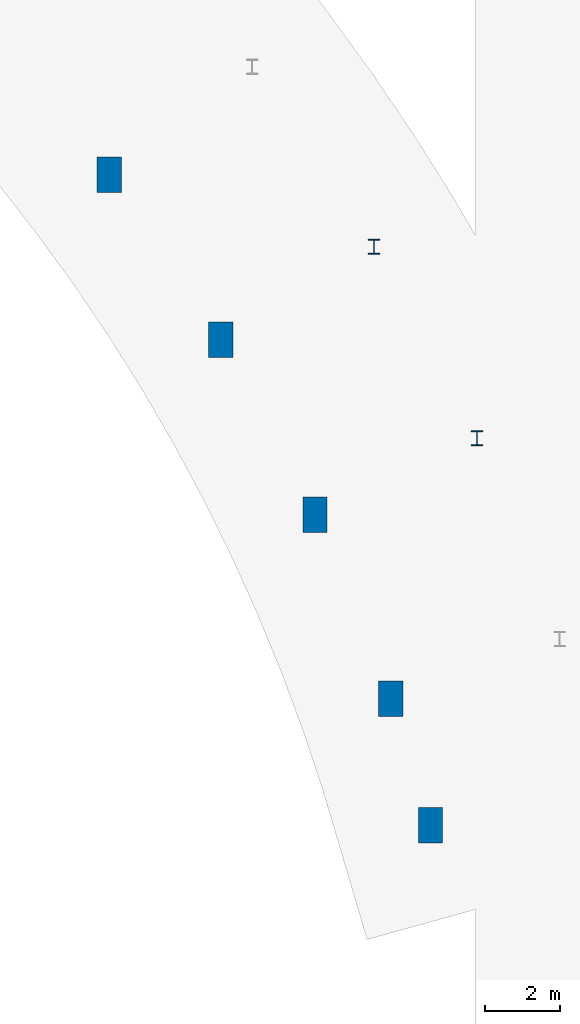
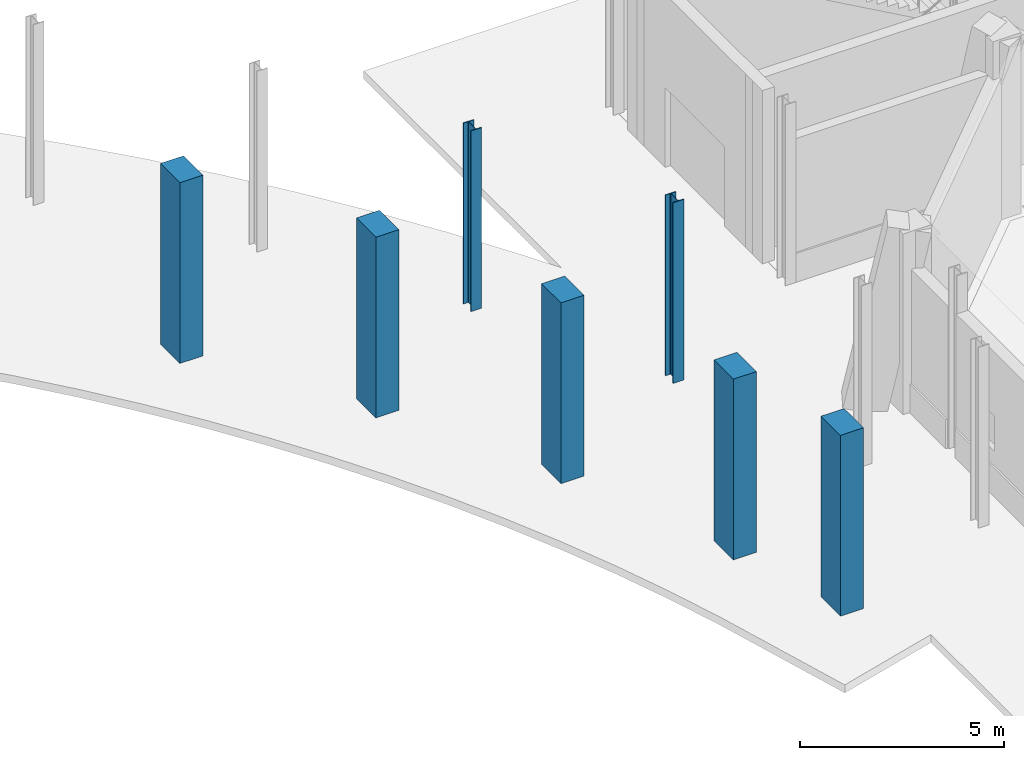
# One storey, part 1 of 124: 7 columns.
"""IFC4 building model written with IfcOpenShell, lengths in metres."""

import ifcopenshell
import ifcopenshell.guid

model = None  # the IFC model being written
_history = None  # IfcOwnerHistory: only IFC2X3 demands one
_inside = {}  # id of a spatial element -> (the spatial element, [elements in it])
_under = {}  # id of a project, library or spatial element -> (it, [spatial elements below it])
_declared = {}  # id of a project -> (the project, [libraries it declares])
_typed = {}  # id of a type object -> (the type object, [elements of that type])
_made_of = {}  # id of a material, layer set ... -> (it, [elements and type objects made of it])


def new_model(schema):
    """Start an empty IFC model of exactly this schema.

    Asked for "IFC4X3", IfcOpenShell would pick the latest addendum, in which some entities
    have other attributes; the version numbers below select the first issue.
    IFC2X3 requires an IfcOwnerHistory on every rooted entity: one is made here for all.
    """
    global model, _history
    if schema == "IFC4X3":
        model = ifcopenshell.file(schema_version=(4, 3, 0, 0))
    else:
        model = ifcopenshell.file(schema=schema)
    _inside.clear()
    _under.clear()
    _declared.clear()
    _typed.clear()
    _made_of.clear()
    _history = None
    if model.schema == "IFC2X3":
        org = make("IfcOrganization", Name="unknown")
        user = make(
            "IfcPersonAndOrganization",
            ThePerson=make("IfcPerson", FamilyName="unknown"),
            TheOrganization=org,
        )
        app = make(
            "IfcApplication",
            ApplicationDeveloper=org,
            Version="unknown",
            ApplicationFullName="unknown",
            ApplicationIdentifier="unknown",
        )
        _history = make(
            "IfcOwnerHistory",
            OwningUser=user,
            OwningApplication=app,
            ChangeAction="ADDED",
            CreationDate=0,
        )
    return model


def make(cls, **values):
    """One entity of the class cls with the attributes given. An attribute that is None is left unset."""
    return model.create_entity(
        cls, **{name: value for name, value in values.items() if value is not None}
    )


def rooted(cls, **values):
    """An entity with a GlobalId (a new one), such as an element, a storey or a relation."""
    return make(cls, GlobalId=ifcopenshell.guid.new(), OwnerHistory=_history, **values)


def si_unit(unit_type, name, prefix=None):
    """IfcSIUnit, for example si_unit("LENGTHUNIT", "METRE", prefix="MILLI")."""
    return make("IfcSIUnit", UnitType=unit_type, Prefix=prefix, Name=name)


def assignment(units):
    """IfcUnitAssignment: the units of a project."""
    return None if units is None else make("IfcUnitAssignment", Units=units)


def point(xyz):
    """IfcCartesianPoint."""
    return None if xyz is None else make("IfcCartesianPoint", Coordinates=xyz)


def direction(xyz):
    """IfcDirection."""
    return None if xyz is None else make("IfcDirection", DirectionRatios=xyz)


def frame(location, z_axis=None, x_axis=None):
    """IfcAxis2Placement3D, a coordinate frame: its origin and axes. An axis left out is left unset."""
    return make(
        "IfcAxis2Placement3D",
        Location=point(location),
        Axis=direction(z_axis),
        RefDirection=direction(x_axis),
    )


def frame_2d(location, x_axis=None):
    """IfcAxis2Placement2D, a coordinate frame in the plane: its origin and x axis."""
    return make(
        "IfcAxis2Placement2D", Location=point(location), RefDirection=direction(x_axis)
    )


def origin():
    """The frame at (0, 0, 0) with its axes left unset."""
    return frame((0.0, 0.0, 0.0))


def origin_2d():
    """The frame at (0, 0) in the plane with its x axis left unset."""
    return frame_2d((0.0, 0.0))


def place(relative_to, where):
    """IfcLocalPlacement: puts the frame where relative to a parent placement (None: the world)."""
    return make(
        "IfcLocalPlacement", PlacementRelTo=relative_to, RelativePlacement=where
    )


def context(
    kind, dimensions, precision=None, world=None, true_north=None, identifier=None
):
    """IfcGeometricRepresentationContext, for example the 3D "Model" context."""
    return make(
        "IfcGeometricRepresentationContext",
        ContextIdentifier=identifier,
        ContextType=kind,
        CoordinateSpaceDimension=dimensions,
        Precision=precision,
        WorldCoordinateSystem=world,
        TrueNorth=true_north,
    )


def subcontext(parent, identifier, kind, view, scale=None):
    """IfcGeometricRepresentationSubContext, for example "Body" below "Model"."""
    return make(
        "IfcGeometricRepresentationSubContext",
        ContextIdentifier=identifier,
        ContextType=kind,
        ParentContext=parent,
        TargetScale=scale,
        TargetView=view,
    )


def project(units=None, contexts=None):
    """IfcProject with its units and contexts."""
    return rooted(
        "IfcProject",
        Name="project",
        RepresentationContexts=contexts,
        UnitsInContext=assignment(units),
    )


def spatial(cls, under=None, at=None, **own):
    """A site, building, storey or space (cls), placed at a placement, below another one or the project."""
    s = rooted(cls, ObjectPlacement=at, **own)
    if under is not None:
        _under.setdefault(under.id(), (under, []))[1].append(s)
    return s


def profile(cls, at=None, kind="AREA", **sizes):
    """A parametric profile (cls). Its sizes go by their IFC names, for example OverallWidth=200.0."""
    return make(cls, ProfileType=kind, Position=at, **sizes)


def rectangle(**sizes):
    """IfcRectangleProfileDef."""
    return profile("IfcRectangleProfileDef", **sizes)


def i_section(**sizes):
    """IfcIShapeProfileDef."""
    return profile("IfcIShapeProfileDef", **sizes)


def extrude(swept, where, along, depth):
    """IfcExtrudedAreaSolid: the profile swept, set in the frame where, extruded along a direction by depth."""
    return make(
        "IfcExtrudedAreaSolid",
        SweptArea=swept,
        Position=where,
        ExtrudedDirection=direction(along),
        Depth=depth,
    )


def shape(context_of_items, identifier, shape_type, items):
    """IfcShapeRepresentation: the items that make up one representation, for example the "Body"."""
    return make(
        "IfcShapeRepresentation",
        ContextOfItems=context_of_items,
        RepresentationIdentifier=identifier,
        RepresentationType=shape_type,
        Items=items,
    )


def material(Name=None, Category=None):
    """IfcMaterial."""
    return make("IfcMaterial", Name=Name, Category=Category)


def material_profile(
    of_material, cross_section, Name=None, Category=None, Priority=None
):
    """IfcMaterialProfile: a cross section and its material."""
    return make(
        "IfcMaterialProfile",
        Name=Name,
        Material=of_material,
        Profile=cross_section,
        Priority=Priority,
        Category=Category,
    )


def profile_set(profiles, Name=None, composite=None):
    """IfcMaterialProfileSet."""
    return make(
        "IfcMaterialProfileSet",
        Name=Name,
        MaterialProfiles=profiles,
        CompositeProfile=composite,
    )


def made_of(thing, what):
    """Note that an element or type object is made of a material, layer set ...; save() writes the relation."""
    if what is not None:
        _made_of.setdefault(what.id(), (what, []))[1].append(thing)
    return thing


def type_object(cls, material=None, **own):
    """A type object (cls), such as IfcWallType, which elements share."""
    return made_of(rooted(cls, **own), material)


def element(
    cls,
    number,
    at=None,
    inside=None,
    cuts=None,
    type_object=None,
    material=None,
    context=None,
    identifier="Body",
    shape_type=None,
    held_by="IfcProductDefinitionShape",
    body=None,
    shapes=None,
    **own,
):
    """One element of the class cls, such as IfcWall. Its Tag is "e" and its number.

    at: its placement. inside: the storey or other place that contains it. cuts: it is an
    opening in that element (IfcRelVoidsElement). A single representation is given by context,
    identifier, shape_type and body (its items); several are given by shapes. held_by: the class
    of the entity that holds the representations. save() writes the other relations.
    """
    e = rooted(cls, Tag="e%d" % number, ObjectPlacement=at, **own)
    if body is not None:
        shapes = [shape(context, identifier, shape_type, body)]
    if shapes is not None:
        e.Representation = make(held_by, Representations=shapes)
    if inside is not None:
        _inside.setdefault(inside.id(), (inside, []))[1].append(e)
    if cuts is not None:
        rooted(
            "IfcRelVoidsElement", RelatingBuildingElement=cuts, RelatedOpeningElement=e
        )
    if type_object is not None:
        _typed.setdefault(type_object.id(), (type_object, []))[1].append(e)
    return made_of(e, material)


def aggregate(whole, parts):
    """IfcRelAggregates: a whole, such as a stair, and the parts it consists of."""
    return rooted("IfcRelAggregates", RelatingObject=whole, RelatedObjects=parts)


def save(model, path):
    """Write the relations noted so far, then the file.

    IfcRelAggregates (storeys below a building ...), IfcRelContainedInSpatialStructure (elements
    in a storey), IfcRelDefinesByType, IfcRelAssociatesMaterial and IfcRelDeclares: one each for
    every whole, place, type object, material and project.
    """
    for whole, parts in _under.values():
        aggregate(whole, parts)
    for where, things in _inside.values():
        rooted(
            "IfcRelContainedInSpatialStructure",
            RelatedElements=things,
            RelatingStructure=where,
        )
    for kind, things in _typed.values():
        rooted("IfcRelDefinesByType", RelatedObjects=things, RelatingType=kind)
    for what, things in _made_of.values():
        rooted("IfcRelAssociatesMaterial", RelatedObjects=things, RelatingMaterial=what)
    for by, libraries in _declared.values():
        rooted("IfcRelDeclares", RelatingContext=by, RelatedDefinitions=libraries)
    model.write(path)


model = new_model("IFC4")

# Units and contexts
model_context = context("Model", 3, precision=1e-05, world=origin(), true_north=direction((0.0, 1.0)))
body_context = subcontext(model_context, "Body", "Model", "MODEL_VIEW")
ifc_project = project(units=[si_unit("LENGTHUNIT", "METRE"), si_unit("AREAUNIT", "SQUARE_METRE"), si_unit("VOLUMEUNIT", "CUBIC_METRE"), si_unit("PLANEANGLEUNIT", "RADIAN"), si_unit("MASSUNIT", "GRAM", prefix="KILO")], contexts=[model_context])

# Site, building, storey
site_placement = place(None, origin())
site = spatial("IfcSite", under=ifc_project, at=site_placement, CompositionType="ELEMENT")
building_placement = place(site_placement, origin())
building = spatial("IfcBuilding", under=site, at=building_placement, Name="Mersafa Astral City Hall", CompositionType="ELEMENT")
storey_placement = place(building_placement, origin())
storey = spatial("IfcBuildingStorey", under=building, at=storey_placement, Name="L00", CompositionType="ELEMENT", Elevation=0.0)

# Columns
ifc_material_1 = material(Name="Steel S355", Category="steel")
ifc_material_profile_1 = material_profile(ifc_material_1, i_section(OverallWidth=0.300048828125, OverallDepth=0.39990234375, WebThickness=0.013427734375, FlangeThickness=0.02392578125, FilletRadius=0.027099609375, at=origin_2d()), Name="HEB 400")
ifc_profile_set_1 = profile_set([ifc_material_profile_1], Name="Steel S355")
column_type_1 = type_object("IfcColumnType", Name="STR-COL-HEB400", PredefinedType="COLUMN", material=ifc_profile_set_1)
for number, where, z_axis, x_axis, name in (
    (1, (59.98974609375, 28.0927734375, 0.0), (0.0, 0.0, 1.0), (1.0, 0.0, 0.0), "L00 Shaded Front Arcade inner column ARCI-10"),
    (2, (62.743896484375, 22.966796875, 0.0), (0.0, 0.0, 1.0), (1.0, 0.0, 0.0), "L00 Shaded Front Arcade inner column ARCI-11"),
):
    element("IfcColumn", number, at=place(storey_placement, frame(where, z_axis=z_axis, x_axis=x_axis)), inside=storey, type_object=column_type_1, Name=name, PredefinedType="COLUMN", context=body_context, shape_type="SweptSolid", body=[
        extrude(i_section(OverallWidth=0.300048828125, OverallDepth=0.39990234375, WebThickness=0.013427734375, FlangeThickness=0.02392578125, FilletRadius=0.027099609375, at=origin_2d()), origin(), (0.0, 0.0, 1.0), 5.39990234375),
    ])
ifc_material_2 = material(Name="Concrete C40/50", Category="concrete")
ifc_material_profile_2 = material_profile(ifc_material_2, rectangle(XDim=0.64990234375, YDim=0.949951171875, at=origin_2d()), Name="RC 650x950")
ifc_profile_set_2 = profile_set([ifc_material_profile_2], Name="Concrete C40/50")
column_type_2 = type_object("IfcColumnType", Name="STR-PIER-RC650X950", PredefinedType="PILASTER", material=ifc_profile_set_2)
for number, where, z_axis, x_axis, name in (
    (3, (52.89501953125, 30.017333984375, 0.0), (0.0, 0.0, 1.0), (1.0, 0.0, 0.0), "L00 Shaded Front Arcade outer pier ARCO-09"),
    (4, (55.88330078125, 25.607177734375, 0.0), (0.0, 0.0, 1.0), (1.0, 0.0, 0.0), "L00 Shaded Front Arcade outer pier ARCO-10"),
    (5, (58.40478515625, 20.914306640625, 0.0), (0.0, 0.0, 1.0), (1.0, 0.0, 0.0), "L00 Shaded Front Arcade outer pier ARCO-11"),
    (6, (60.432861328125, 15.98828125, 0.0), (0.0, 0.0, 1.0), (1.0, 0.0, 0.0), "L00 Shaded Front Arcade outer pier ARCO-12"),
    (7, (61.5, 12.60009765625, 0.0), (0.0, 0.0, 1.0), (1.0, 0.0, 0.0), "L00 Shaded Front Arcade outer pier ARCO-13"),
):
    element("IfcColumn", number, at=place(storey_placement, frame(where, z_axis=z_axis, x_axis=x_axis)), inside=storey, type_object=column_type_2, Name=name, PredefinedType="PILASTER", context=body_context, shape_type="SweptSolid", body=[
        extrude(rectangle(XDim=0.64990234375, YDim=0.949951171875, at=origin_2d()), origin(), (0.0, 0.0, 1.0), 5.39990234375),
    ])

save(model, "model.ifc")
